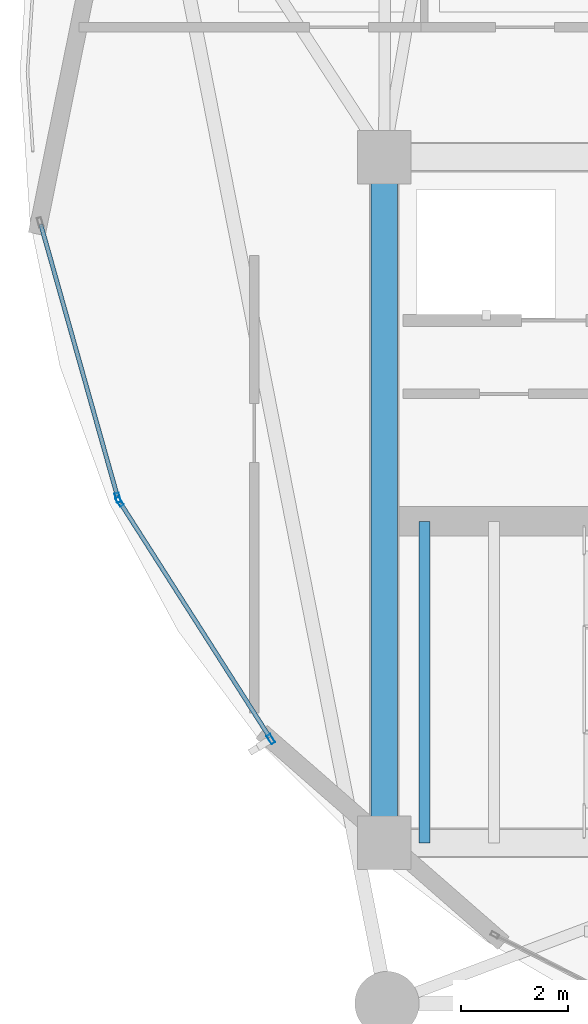
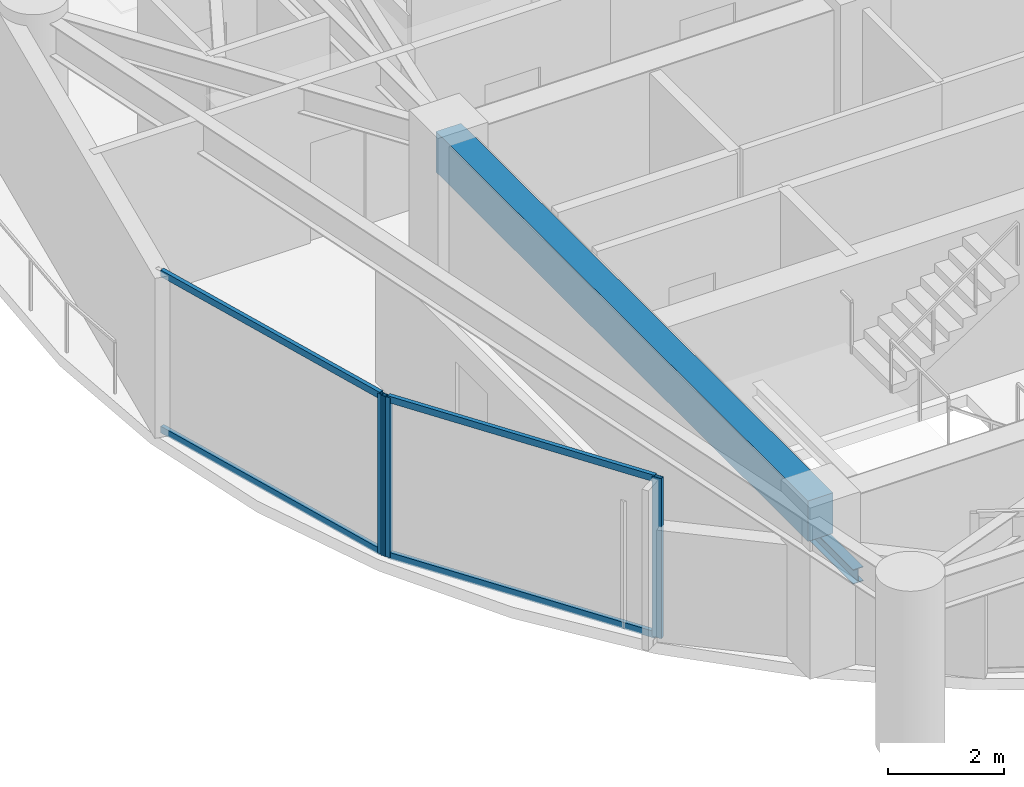
# One storey, part 3 of 28: 7 members, 2 beams, 2 elements without a shape of their own.
"""IFC4 building model written with IfcOpenShell, lengths in metres."""

from ifc_helpers import new_model, si_unit, direction, frame, origin, origin_2d, place, context, subcontext, project, spatial, rectangle, hollow_rectangle, i_section, extrude, material, layer, layer_set, material_profile, profile_set, type_object, element, aggregate, save


model = new_model("IFC4")

# Units and contexts
model_context = context("Model", 3, precision=1e-05, world=origin(), true_north=direction((0.0, 1.0)))
body_context = subcontext(model_context, "Body", "Model", "MODEL_VIEW")
ifc_project = project(units=[si_unit("LENGTHUNIT", "METRE"), si_unit("AREAUNIT", "SQUARE_METRE"), si_unit("VOLUMEUNIT", "CUBIC_METRE"), si_unit("PLANEANGLEUNIT", "RADIAN"), si_unit("MASSUNIT", "GRAM", prefix="KILO")], contexts=[model_context])

# Site, building, storey
site_placement = place(None, origin())
site = spatial("IfcSite", under=ifc_project, at=site_placement, CompositionType="ELEMENT")
building_placement = place(site_placement, origin())
building = spatial("IfcBuilding", under=site, at=building_placement, Name="Kazevale Care Tower and Concert Hall", CompositionType="ELEMENT")
storey_placement = place(building_placement, frame((0.0, 0.0, 138.60009765625)))
storey = spatial("IfcBuildingStorey", under=building, at=storey_placement, Name="L36", CompositionType="ELEMENT", Elevation=138.60009765625)

# Curtain wall, members
ifc_material_1 = material(Name="Aluminium 6063-T6 and Low-E Glass", Category="aluminium")
ifc_layer = layer(ifc_material_1, 0.179931640625)
ifc_layer_set = layer_set([ifc_layer], Name="Aluminium 6063-T6 and Low-E Glass")
curtain_wall_type = type_object("IfcCurtainWallType", Name="Waist & Upper Residential Curtain Wall CW-4", PredefinedType="NOTDEFINED", material=ifc_layer_set)
curtain_wall_1_placement = place(storey_placement, origin())
curtain_wall_1 = element("IfcCurtainWall", 1, at=curtain_wall_1_placement, inside=storey, type_object=curtain_wall_type, Name="cw:L36:f11", PredefinedType="NOTDEFINED")
ifc_material_2 = material(Name="Aluminium 6063-T6", Category="aluminium")
ifc_material_profile_1 = material_profile(ifc_material_2, hollow_rectangle(XDim=0.080078125, YDim=0.179931640625, WallThickness=0.0048828125, at=origin_2d()), Name="ALU80x180x5")
ifc_profile_set_1 = profile_set([ifc_material_profile_1], Name="Aluminium 6063-T6")
member_type_1 = type_object("IfcMemberType", Name="CW-4 Mullion ALU80x180x5", PredefinedType="MULLION", material=ifc_profile_set_1)
member_1_placement = place(storey_placement, frame((19.882568359375, 25.53564453125, 0.0), z_axis=(0.0, 0.0, 1.0), x_axis=(-0.843429930967, -0.537239193981, 0.0)))
member_1 = element("IfcMember", 2, at=member_1_placement, type_object=member_type_1, Name="CW-4 mullion 1", PredefinedType="MULLION", context=body_context, shape_type="SweptSolid", body=[
    extrude(hollow_rectangle(XDim=0.080078125, YDim=0.179931640625, WallThickness=0.0048828125, at=origin_2d()), origin(), (0.0, 0.0, 1.0), 3.35986328125),
])
member_2_placement = place(storey_placement, frame((17.05859375, 29.96923828125, 0.0), z_axis=(0.0, 0.0, 1.0), x_axis=(-0.843429930967, -0.537239193981, 0.0)))
member_2 = element("IfcMember", 3, at=member_2_placement, type_object=member_type_1, Name="CW-4 mullion 2", PredefinedType="MULLION", context=body_context, shape_type="SweptSolid", body=[
    extrude(hollow_rectangle(XDim=0.080078125, YDim=0.179931640625, WallThickness=0.0048828125, at=origin_2d()), origin(), (0.0, 0.0, 1.0), 3.35986328125),
])

# Curtain wall, member
curtain_wall_2_placement = place(storey_placement, origin())
curtain_wall_2 = element("IfcCurtainWall", 4, at=curtain_wall_2_placement, inside=storey, type_object=curtain_wall_type, Name="cw:L36:f12", PredefinedType="NOTDEFINED")
member_3_placement = place(storey_placement, frame((17.026123046875, 30.04150390625, 0.0), z_axis=(0.0, 0.0, 1.0), x_axis=(-0.962499078876, -0.271284948278, 0.0)))
member_3 = element("IfcMember", 5, at=member_3_placement, type_object=member_type_1, Name="CW-4 mullion 1", PredefinedType="MULLION", context=body_context, shape_type="SweptSolid", body=[
    extrude(hollow_rectangle(XDim=0.080078125, YDim=0.179931640625, WallThickness=0.0048828125, at=origin_2d()), origin(), (0.0, 0.0, 1.0), 3.35986328125),
])

# Member
ifc_material_profile_2 = material_profile(ifc_material_2, hollow_rectangle(XDim=0.080078125, YDim=0.139892578125, WallThickness=0.00390625, at=origin_2d()), Name="ALU80x140x4")
ifc_profile_set_2 = profile_set([ifc_material_profile_2], Name="Aluminium 6063-T6")
member_type_2 = type_object("IfcMemberType", Name="CW-4 Transom ALU80x140x4", PredefinedType="USERDEFINED", material=ifc_profile_set_2)
member_4_placement = place(storey_placement, frame((19.861083984375, 25.569580078125, 0.039794921875), z_axis=(-0.537241653837, 0.843428364109, 0.0), x_axis=(-0.843428364109, -0.537241653837, 0.0)))
member_4 = element("IfcMember", 6, at=member_4_placement, type_object=member_type_2, Name="CW-4 transom 1.1", ObjectType="TRANSOM", PredefinedType="USERDEFINED", context=body_context, shape_type="SweptSolid", body=[
    extrude(hollow_rectangle(XDim=0.080078125, YDim=0.139892578125, WallThickness=0.00390625, at=origin_2d()), origin(), (0.0, 0.0, 1.0), 5.176513671875),
])

member_5_placement = place(storey_placement, frame((19.861083984375, 25.569580078125, 3.31982421875), z_axis=(-0.537241653837, 0.843428364109, 0.0), x_axis=(-0.843428364109, -0.537241653837, 0.0)))
member_5 = element("IfcMember", 7, at=member_5_placement, type_object=member_type_2, Name="CW-4 transom 1.2", ObjectType="TRANSOM", PredefinedType="USERDEFINED", context=body_context, shape_type="SweptSolid", body=[
    extrude(hollow_rectangle(XDim=0.080078125, YDim=0.139892578125, WallThickness=0.00390625, at=origin_2d()), origin(), (0.0, 0.0, 1.0), 5.176513671875),
])

aggregate(curtain_wall_1, [member_1, member_2, member_4, member_5])

member_6_placement = place(storey_placement, frame((17.015380859375, 30.080078125, 0.039794921875), z_axis=(-0.271312503244, 0.962491311952, 0.0), x_axis=(-0.962491311952, -0.271312503244, 0.0)))
member_6 = element("IfcMember", 8, at=member_6_placement, type_object=member_type_2, Name="CW-4 transom 1.1", ObjectType="TRANSOM", PredefinedType="USERDEFINED", context=body_context, shape_type="SweptSolid", body=[
    extrude(hollow_rectangle(XDim=0.080078125, YDim=0.139892578125, WallThickness=0.00390625, at=origin_2d()), origin(), (0.0, 0.0, 1.0), 5.26220703125),
])

member_7_placement = place(storey_placement, frame((17.015380859375, 30.080078125, 3.31982421875), z_axis=(-0.271312503244, 0.962491311952, 0.0), x_axis=(-0.962491311952, -0.271312503244, 0.0)))
member_7 = element("IfcMember", 9, at=member_7_placement, type_object=member_type_2, Name="CW-4 transom 1.2", ObjectType="TRANSOM", PredefinedType="USERDEFINED", context=body_context, shape_type="SweptSolid", body=[
    extrude(hollow_rectangle(XDim=0.080078125, YDim=0.139892578125, WallThickness=0.00390625, at=origin_2d()), origin(), (0.0, 0.0, 1.0), 5.26220703125),
])

aggregate(curtain_wall_2, [member_3, member_6, member_7])

# Beams
ifc_material_3 = material(Name="Concrete C60", Category="concrete")
ifc_material_profile_3 = material_profile(ifc_material_3, rectangle(XDim=0.5, YDim=0.85009765625, at=origin_2d()), Name="RC-B500x850")
ifc_profile_set_3 = profile_set([ifc_material_profile_3], Name="Concrete C60")
beam_type_1 = type_object("IfcBeamType", Name="Core Coupling Beam RC500x850", PredefinedType="LINTEL", material=ifc_profile_set_3)
beam_1_placement = place(storey_placement, frame((22.0, 36.39990234375, 2.934814453125), z_axis=(0.0, -1.0, 0.0), x_axis=(1.0, 0.0, 0.0)))
element("IfcBeam", 10, at=beam_1_placement, inside=storey, type_object=beam_type_1, Name="beam:L36:coretie:8", PredefinedType="LINTEL", context=body_context, shape_type="SweptSolid", body=[
    extrude(rectangle(XDim=0.5, YDim=0.85009765625, at=origin_2d()), origin(), (0.0, 0.0, 1.0), 12.7998046875),
])
ifc_material_4 = material(Name="Steel ASTM A572 Gr 50", Category="steel")
ifc_material_profile_4 = material_profile(ifc_material_4, i_section(OverallWidth=0.202880859375, OverallDepth=0.302978515625, WebThickness=0.007568359375, FlangeThickness=0.01318359375, at=origin_2d()), Name="W310x60")
ifc_profile_set_4 = profile_set([ifc_material_profile_4], Name="Steel ASTM A572 Gr 50")
beam_type_2 = type_object("IfcBeamType", Name="Stair & Balcony Trimmer W310x60", PredefinedType="BEAM", material=ifc_profile_set_4)
beam_2_placement = place(storey_placement, frame((22.75, 23.60009765625, 1.448486328125), z_axis=(0.0, 1.0, 0.0), x_axis=(-1.0, 0.0, 0.0)))
element("IfcBeam", 11, at=beam_2_placement, inside=storey, type_object=beam_type_2, Name="beam:L36:sttrim:ST1", PredefinedType="BEAM", context=body_context, shape_type="SweptSolid", body=[
    extrude(i_section(OverallWidth=0.202880859375, OverallDepth=0.302978515625, WebThickness=0.007568359375, FlangeThickness=0.01318359375, at=origin_2d()), origin(), (0.0, 0.0, 1.0), 6.0),
])

save(model, "model.ifc")
